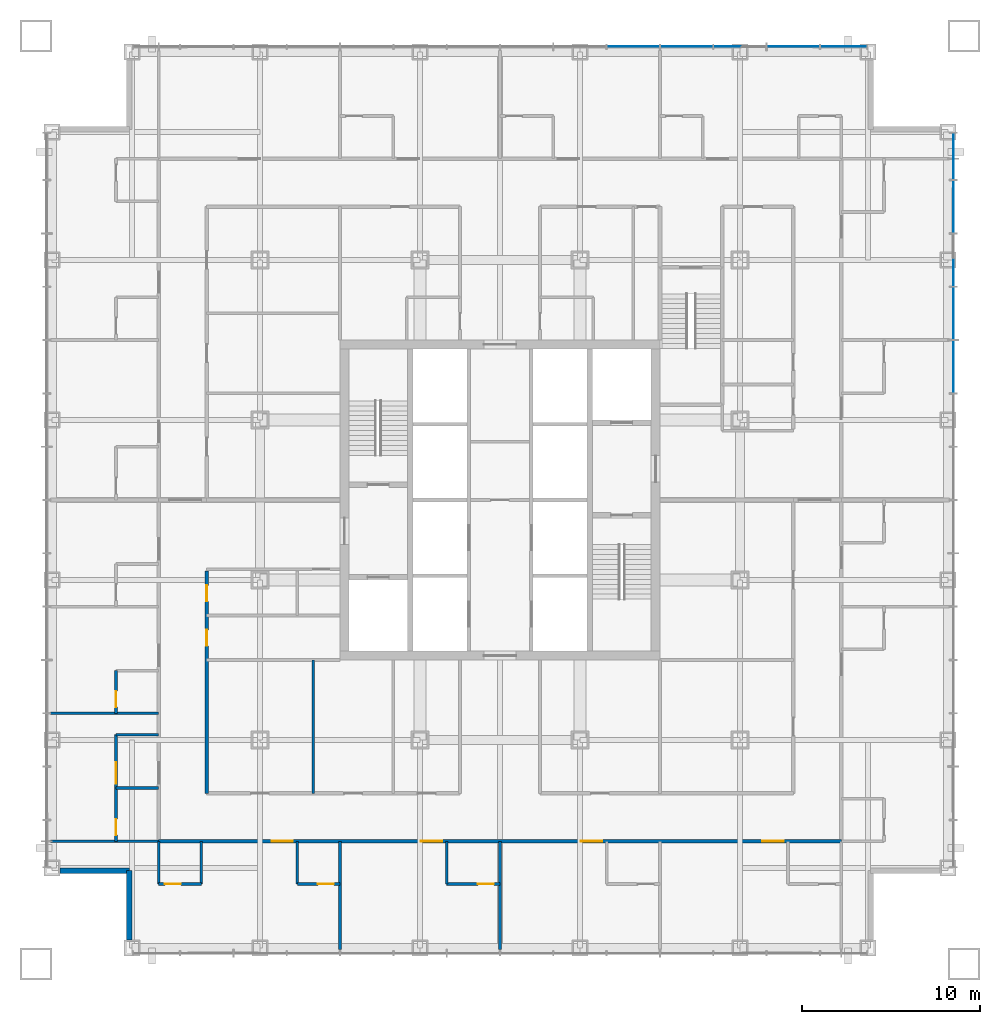
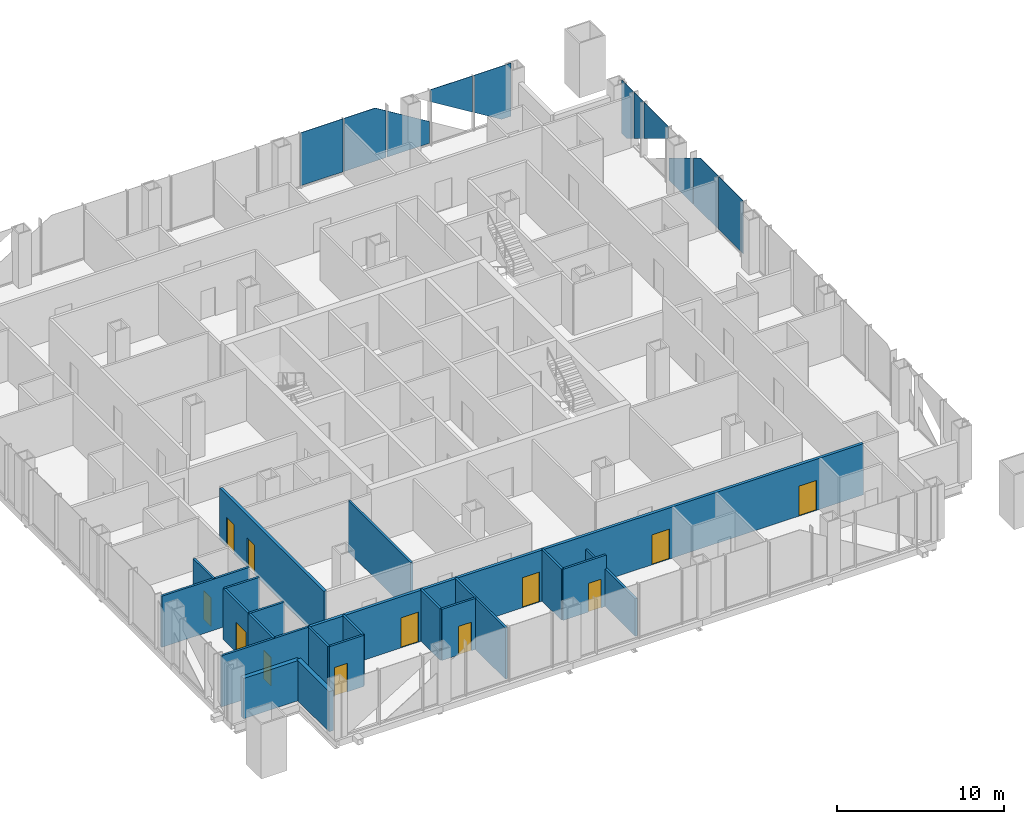
# One storey, part 7 of 13: 21 walls, 12 doors, 11 plates, 12 openings, 2 elements without a shape of their own.
"""IFC4 building model written with IfcOpenShell, lengths in metres."""

from ifc_helpers import new_model, si_unit, direction, frame, frame_2d, origin, origin_2d, place, context, subcontext, project, spatial, polyline, rectangle, outline, extrude, material, layer, layer_set, type_object, element, fill, aggregate, save


model = new_model("IFC4")

# Units and contexts
model_context = context("Model", 3, precision=1e-05, world=origin(), true_north=direction((0.0, 1.0)))
body_context = subcontext(model_context, "Body", "Model", "MODEL_VIEW")
ifc_project = project(units=[si_unit("LENGTHUNIT", "METRE"), si_unit("AREAUNIT", "SQUARE_METRE"), si_unit("VOLUMEUNIT", "CUBIC_METRE"), si_unit("PLANEANGLEUNIT", "RADIAN"), si_unit("MASSUNIT", "GRAM", prefix="KILO")], contexts=[model_context])

# Site, building, storey
site_placement = place(None, origin())
site = spatial("IfcSite", under=ifc_project, at=site_placement, CompositionType="ELEMENT")
building_placement = place(site_placement, origin())
building = spatial("IfcBuilding", under=site, at=building_placement, Name="Malebo Sky Hospital", CompositionType="ELEMENT")
storey_placement = place(building_placement, frame((0.0, 0.0, 67.0)))
storey = spatial("IfcBuildingStorey", under=building, at=storey_placement, Name="L15", CompositionType="ELEMENT", Elevation=67.0)

# Curtain wall, plates
ifc_material_1 = material(Name="Anodised aluminium, natural silver", Category="aluminium")
ifc_layer_1 = layer(ifc_material_1, 0.25)
ifc_layer_set_1 = layer_set([ifc_layer_1], Name="WARD CURTAIN WALL NORTH AND SOUTH")
curtain_wall_type_1 = type_object("IfcCurtainWallType", Name="WARD CURTAIN WALL NORTH AND SOUTH", PredefinedType="NOTDEFINED", material=ifc_layer_set_1)
curtain_wall_1_placement = place(storey_placement, origin())
curtain_wall_1 = element("IfcCurtainWall", 1, at=curtain_wall_1_placement, inside=storey, type_object=curtain_wall_type_1, Name="NS curtain wall N", PredefinedType="NOTDEFINED")
ifc_material_2 = material(Name="Clear low-iron double glazing", Category="glass")
ifc_layer_2 = layer(ifc_material_2, 0.031982421875)
ifc_layer_set_2 = layer_set([ifc_layer_2], Name="VISION PANEL CLEAR 32")
plate_type = type_object("IfcPlateType", Name="VISION PANEL CLEAR 32", PredefinedType="CURTAIN_PANEL", material=ifc_layer_set_2)
plate_1_placement = place(storey_placement, frame((67.5, 87.5, 0.10009765625), z_axis=(0.0, 0.0, 1.0), x_axis=(1.0, 0.0, 0.0)))
plate_1 = element("IfcPlate", 2, at=plate_1_placement, type_object=plate_type, Name="Panel 11", PredefinedType="CURTAIN_PANEL", context=body_context, shape_type="SweptSolid", body=[
    extrude(rectangle(XDim=2.925048828125, YDim=0.031982421875, at=origin_2d()), origin(), (0.0, 0.0, 1.0), 3.889892578125),
])
plate_2_placement = place(storey_placement, frame((70.5, 87.5, 0.10009765625), z_axis=(0.0, 0.0, 1.0), x_axis=(1.0, 0.0, 0.0)))
plate_2 = element("IfcPlate", 3, at=plate_2_placement, type_object=plate_type, Name="Panel 12", PredefinedType="CURTAIN_PANEL", context=body_context, shape_type="SweptSolid", body=[
    extrude(outline(polyline([(-1.46240234375, 0.0), (1.46240234375, 0.0), (1.46240234375, 3.43310546875), (0.71728515625, 3.889892578125), (-1.46240234375, 3.889892578125), (-1.46240234375, 0.0)])), frame((0.0, 0.01611328125, 0.0), z_axis=(0.0, -1.0, 0.0), x_axis=(1.0, 0.0, 0.0)), (0.0, 0.0, 1.0), 0.031982421875),
])
plate_3_placement = place(storey_placement, frame((73.5, 87.5, 0.099853515625), z_axis=(0.0, 0.0, 1.0), x_axis=(1.0, 0.0, 0.0)))
plate_3 = element("IfcPlate", 4, at=plate_3_placement, type_object=plate_type, Name="Panel 13", PredefinedType="CURTAIN_PANEL", context=body_context, shape_type="SweptSolid", body=[
    extrude(outline(polyline([(-1.46240234375, 0.0), (1.46240234375, 0.0), (1.46240234375, 1.593994140625), (-1.46240234375, 3.38720703125), (-1.46240234375, 0.0)])), frame((0.0, 0.01611328125, 0.0), z_axis=(0.0, -1.0, 0.0), x_axis=(1.0, 0.0, 0.0)), (0.0, 0.0, 1.0), 0.031982421875),
])
plate_4_placement = place(storey_placement, frame((76.5, 87.5, 1.322265625), z_axis=(0.0, 0.0, 1.0), x_axis=(1.0, 0.0, 0.0)))
plate_4 = element("IfcPlate", 5, at=plate_4_placement, type_object=plate_type, Name="Panel 14", PredefinedType="CURTAIN_PANEL", context=body_context, shape_type="SweptSolid", body=[
    extrude(outline(polyline([(1.46240234375, 0.0), (1.46240234375, 2.667724609375), (-1.46240234375, 2.667724609375), (-1.46240234375, 1.793212890625), (1.46240234375, 0.0)])), frame((0.0, 0.01611328125, 0.0), z_axis=(0.0, -1.0, 0.0), x_axis=(1.0, 0.0, 0.0)), (0.0, 0.0, 1.0), 0.031982421875),
])
plate_5_placement = place(storey_placement, frame((79.331298828125, 87.5, 0.10009765625), z_axis=(0.0, 0.0, 1.0), x_axis=(1.0, 0.0, 0.0)))
plate_5 = element("IfcPlate", 6, at=plate_5_placement, type_object=plate_type, Name="Panel 15", PredefinedType="CURTAIN_PANEL", context=body_context, shape_type="SweptSolid", body=[
    extrude(outline(polyline([(0.625244140625, 0.0), (1.293701171875, 0.0), (1.293701171875, 3.889892578125), (-1.293701171875, 3.889892578125), (-1.293701171875, 1.17626953125), (0.625244140625, 0.0)])), frame((0.0, 0.01611328125, 0.0), z_axis=(0.0, -1.0, 0.0), x_axis=(1.0, 0.0, 0.0)), (0.0, 0.0, 1.0), 0.031982421875),
])
aggregate(curtain_wall_1, [plate_1, plate_2, plate_3, plate_4, plate_5])

ifc_layer_3 = layer(ifc_material_1, 0.25)
ifc_layer_set_3 = layer_set([ifc_layer_3], Name="WARD CURTAIN WALL EAST AND WEST")
curtain_wall_type_2 = type_object("IfcCurtainWallType", Name="WARD CURTAIN WALL EAST AND WEST", PredefinedType="NOTDEFINED", material=ifc_layer_set_3)
curtain_wall_2_placement = place(storey_placement, origin())
curtain_wall_2 = element("IfcCurtainWall", 7, at=curtain_wall_2_placement, inside=storey, type_object=curtain_wall_type_2, Name="EW curtain wall E", PredefinedType="NOTDEFINED")
plate_6_placement = place(storey_placement, frame((85.5, 81.93115234375, 0.10009765625), z_axis=(0.0, 0.0, 1.0), x_axis=(0.0, -1.0, 0.0)))
plate_6 = element("IfcPlate", 8, at=plate_6_placement, type_object=plate_type, Name="Panel 1", PredefinedType="CURTAIN_PANEL", context=body_context, shape_type="SweptSolid", body=[
    extrude(outline(polyline([(-0.693603515625, 0.0), (-0.025146484375, 0.0), (0.693603515625, 0.440673828125), (0.693603515625, 3.889892578125), (-0.693603515625, 3.889892578125), (-0.693603515625, 0.0)])), frame((0.0, 0.01611328125, 0.0), z_axis=(0.0, -1.0, 0.0), x_axis=(1.0, 0.0, 0.0)), (0.0, 0.0, 1.0), 0.031982421875),
])
plate_7_placement = place(storey_placement, frame((85.5, 80.60009765625, 0.586669921875), z_axis=(0.0, 0.0, 1.0), x_axis=(0.0, -1.0, 0.0)))
plate_7 = element("IfcPlate", 9, at=plate_7_placement, type_object=plate_type, Name="Panel 2", PredefinedType="CURTAIN_PANEL", context=body_context, shape_type="SweptSolid", body=[
    extrude(outline(polyline([(-0.5625, 0.0), (0.5625, 0.689697265625), (0.5625, 3.4033203125), (-0.5625, 3.4033203125), (-0.5625, 0.0)])), frame((0.0, 0.01611328125, 0.0), z_axis=(0.0, -1.0, 0.0), x_axis=(1.0, 0.0, 0.0)), (0.0, 0.0, 1.0), 0.031982421875),
])
plate_8_placement = place(storey_placement, frame((85.5, 78.5, 1.322265625), z_axis=(0.0, 0.0, 1.0), x_axis=(0.0, -1.0, 0.0)))
plate_8 = element("IfcPlate", 10, at=plate_8_placement, type_object=plate_type, Name="Panel 3", PredefinedType="CURTAIN_PANEL", context=body_context, shape_type="SweptSolid", body=[
    extrude(outline(polyline([(-1.46240234375, 0.0), (1.46240234375, 1.793212890625), (1.46240234375, 2.667724609375), (-1.46240234375, 2.667724609375), (-1.46240234375, 0.0)])), frame((0.0, 0.01611328125, 0.0), z_axis=(0.0, -1.0, 0.0), x_axis=(1.0, 0.0, 0.0)), (0.0, 0.0, 1.0), 0.031982421875),
])
plate_9_placement = place(storey_placement, frame((85.5, 75.5, 0.099853515625), z_axis=(0.0, 0.0, 1.0), x_axis=(0.0, -1.0, 0.0)))
plate_9 = element("IfcPlate", 11, at=plate_9_placement, type_object=plate_type, Name="Panel 4", PredefinedType="CURTAIN_PANEL", context=body_context, shape_type="SweptSolid", body=[
    extrude(outline(polyline([(-1.46240234375, 0.0), (1.46240234375, 0.0), (1.46240234375, 3.38720703125), (-1.46240234375, 1.593994140625), (-1.46240234375, 0.0)])), frame((0.0, 0.01611328125, 0.0), z_axis=(0.0, -1.0, 0.0), x_axis=(1.0, 0.0, 0.0)), (0.0, 0.0, 1.0), 0.031982421875),
])
plate_10_placement = place(storey_placement, frame((85.5, 72.5, 0.10009765625), z_axis=(0.0, 0.0, 1.0), x_axis=(0.0, -1.0, 0.0)))
plate_10 = element("IfcPlate", 12, at=plate_10_placement, type_object=plate_type, Name="Panel 5", PredefinedType="CURTAIN_PANEL", context=body_context, shape_type="SweptSolid", body=[
    extrude(outline(polyline([(-1.46240234375, 0.0), (1.46240234375, 0.0), (1.46240234375, 3.889892578125), (-0.71728515625, 3.889892578125), (-1.46240234375, 3.43310546875), (-1.46240234375, 0.0)])), frame((0.0, 0.01611328125, 0.0), z_axis=(0.0, -1.0, 0.0), x_axis=(1.0, 0.0, 0.0)), (0.0, 0.0, 1.0), 0.031982421875),
])
plate_11_placement = place(storey_placement, frame((85.5, 69.5, 0.10009765625), z_axis=(0.0, 0.0, 1.0), x_axis=(0.0, -1.0, 0.0)))
plate_11 = element("IfcPlate", 13, at=plate_11_placement, type_object=plate_type, Name="Panel 6", PredefinedType="CURTAIN_PANEL", context=body_context, shape_type="SweptSolid", body=[
    extrude(rectangle(XDim=2.925048828125, YDim=0.031982421875, at=origin_2d()), origin(), (0.0, 0.0, 1.0), 3.889892578125),
])
aggregate(curtain_wall_2, [plate_6, plate_7, plate_8, plate_9, plate_10, plate_11])

# Wall, openings, doors
ifc_material_3 = material(Name="Gypsum board on steel studs", Category="steel")
ifc_layer_4 = layer(ifc_material_3, 0.199951171875)
ifc_layer_set_4 = layer_set([ifc_layer_4], Name="CORRIDOR WALL 200")
wall_type_1 = type_object("IfcWallType", Name="CORRIDOR WALL 200", PredefinedType="PARTITIONING", material=ifc_layer_set_4)
wall_1_placement = place(storey_placement, frame((43.5, 45.5, 0.0), z_axis=(0.0, 0.0, 1.0), x_axis=(0.0, 1.0, 0.0)))
wall_1 = element("IfcWall", 14, at=wall_1_placement, inside=storey, type_object=wall_type_1, Name="Corridor Wall 200 WCI1", PredefinedType="PARTITIONING", context=body_context, shape_type="SweptSolid", body=[
    extrude(rectangle(XDim=12.5, YDim=0.199951171875, at=frame_2d((6.25, 0.0))), origin(), (0.0, 0.0, 1.0), 3.75),
])
opening_1_placement = place(wall_1_placement, frame((8.300048828125, 0.0, 0.0)))
opening_1 = element("IfcOpeningElement", 15, at=opening_1_placement, cuts=wall_1, Name="Opening D04", PredefinedType="OPENING", context=body_context, shape_type="SweptSolid", body=[
    extrude(rectangle(XDim=0.89990234375, YDim=2.10009765625, at=frame_2d((0.449951171875, 1.050048828125))), frame((0.0, 0.10986328125, 0.0), z_axis=(0.0, -1.0, 0.0), x_axis=(1.0, 0.0, 0.0)), (0.0, 0.0, 1.0), 0.219970703125),
])
opening_2_placement = place(wall_1_placement, frame((10.800048828125, 0.0, 0.0)))
opening_2 = element("IfcOpeningElement", 16, at=opening_2_placement, cuts=wall_1, Name="Opening D04", PredefinedType="OPENING", context=body_context, shape_type="SweptSolid", body=[
    extrude(rectangle(XDim=0.89990234375, YDim=2.10009765625, at=frame_2d((0.449951171875, 1.050048828125))), frame((0.0, 0.10986328125, 0.0), z_axis=(0.0, -1.0, 0.0), x_axis=(1.0, 0.0, 0.0)), (0.0, 0.0, 1.0), 0.219970703125),
])
ifc_material_4 = material(Name="Hardwood-faced door leaf in steel frame", Category="steel")
door_type_1 = type_object("IfcDoorType", Name="ROOM DOOR 900", OperationType="SINGLE_SWING_LEFT", PredefinedType="DOOR", material=ifc_material_4)
door_1_placement = place(opening_1_placement, origin())
door_1 = element("IfcDoor", 17, at=door_1_placement, inside=storey, type_object=door_type_1, Name="Ward office door", OperationType="SINGLE_SWING_LEFT", OverallHeight=2.10009765625, OverallWidth=0.89990234375, PredefinedType="DOOR", context=body_context, shape_type="SweptSolid", body=[
    extrude(rectangle(XDim=0.89990234375, YDim=2.10009765625, at=frame_2d((0.449951171875, 1.050048828125))), frame((0.0, 0.02490234375, 0.0), z_axis=(0.0, -1.0, 0.0), x_axis=(1.0, 0.0, 0.0)), (0.0, 0.0, 1.0), 0.050048828125),
])
fill(opening_1, door_1)
door_2_placement = place(opening_2_placement, origin())
door_2 = element("IfcDoor", 18, at=door_2_placement, inside=storey, type_object=door_type_1, Name="Linen store door", OperationType="SINGLE_SWING_LEFT", OverallHeight=2.10009765625, OverallWidth=0.89990234375, PredefinedType="DOOR", context=body_context, shape_type="SweptSolid", body=[
    extrude(rectangle(XDim=0.89990234375, YDim=2.10009765625, at=frame_2d((0.449951171875, 1.050048828125))), frame((0.0, 0.02490234375, 0.0), z_axis=(0.0, -1.0, 0.0), x_axis=(1.0, 0.0, 0.0)), (0.0, 0.0, 1.0), 0.050048828125),
])
fill(opening_2, door_2)

wall_2_placement = place(storey_placement, frame((79.199951171875, 42.800048828125, 0.0), z_axis=(0.0, 0.0, 1.0), x_axis=(-1.0, 0.0, 0.0)))
wall_2 = element("IfcWall", 19, at=wall_2_placement, inside=storey, type_object=wall_type_1, Name="Corridor Wall 200 SCO", PredefinedType="PARTITIONING", context=body_context, shape_type="SweptSolid", body=[
    extrude(rectangle(XDim=38.39990234375, YDim=0.199951171875, at=frame_2d((19.199951171875, 0.0))), origin(), (0.0, 0.0, 1.0), 3.75),
])
opening_3_placement = place(wall_2_placement, frame((3.25, 0.0, 0.0)))
opening_3 = element("IfcOpeningElement", 20, at=opening_3_placement, cuts=wall_2, Name="Opening D01", PredefinedType="OPENING", context=body_context, shape_type="SweptSolid", body=[
    extrude(rectangle(XDim=1.199951171875, YDim=2.199951171875, at=frame_2d((0.60009765625, 1.10009765625))), frame((0.0, 0.10986328125, 0.0), z_axis=(0.0, -1.0, 0.0), x_axis=(1.0, 0.0, 0.0)), (0.0, 0.0, 1.0), 0.219970703125),
])
opening_4_placement = place(wall_2_placement, frame((13.449951171875, 0.0, 0.0)))
opening_4 = element("IfcOpeningElement", 21, at=opening_4_placement, cuts=wall_2, Name="Opening D01", PredefinedType="OPENING", context=body_context, shape_type="SweptSolid", body=[
    extrude(rectangle(XDim=1.199951171875, YDim=2.199951171875, at=frame_2d((0.60009765625, 1.10009765625))), frame((0.0, 0.10986328125, 0.0), z_axis=(0.0, -1.0, 0.0), x_axis=(1.0, 0.0, 0.0)), (0.0, 0.0, 1.0), 0.219970703125),
])
opening_5_placement = place(wall_2_placement, frame((22.449951171875, 0.0, 0.0)))
opening_5 = element("IfcOpeningElement", 22, at=opening_5_placement, cuts=wall_2, Name="Opening D01", PredefinedType="OPENING", context=body_context, shape_type="SweptSolid", body=[
    extrude(rectangle(XDim=1.199951171875, YDim=2.199951171875, at=frame_2d((0.60009765625, 1.10009765625))), frame((0.0, 0.10986328125, 0.0), z_axis=(0.0, -1.0, 0.0), x_axis=(1.0, 0.0, 0.0)), (0.0, 0.0, 1.0), 0.219970703125),
])
opening_6_placement = place(wall_2_placement, frame((30.85009765625, 0.0, 0.0)))
opening_6 = element("IfcOpeningElement", 23, at=opening_6_placement, cuts=wall_2, Name="Opening D01", PredefinedType="OPENING", context=body_context, shape_type="SweptSolid", body=[
    extrude(rectangle(XDim=1.199951171875, YDim=2.199951171875, at=frame_2d((0.60009765625, 1.10009765625))), frame((0.0, 0.10986328125, 0.0), z_axis=(0.0, -1.0, 0.0), x_axis=(1.0, 0.0, 0.0)), (0.0, 0.0, 1.0), 0.219970703125),
])
door_type_2 = type_object("IfcDoorType", Name="BED DOOR 1200", OperationType="SINGLE_SWING_LEFT", PredefinedType="DOOR", material=ifc_material_4)
door_3_placement = place(opening_3_placement, origin())
door_3 = element("IfcDoor", 24, at=door_3_placement, inside=storey, type_object=door_type_2, Name="Two-bed room door", OperationType="SINGLE_SWING_LEFT", OverallHeight=2.199951171875, OverallWidth=1.199951171875, PredefinedType="DOOR", context=body_context, shape_type="SweptSolid", body=[
    extrude(rectangle(XDim=1.199951171875, YDim=2.199951171875, at=frame_2d((0.60009765625, 1.10009765625))), frame((0.0, 0.02490234375, 0.0), z_axis=(0.0, -1.0, 0.0), x_axis=(1.0, 0.0, 0.0)), (0.0, 0.0, 1.0), 0.050048828125),
])
fill(opening_3, door_3)
door_4_placement = place(opening_4_placement, origin())
door_4 = element("IfcDoor", 25, at=door_4_placement, inside=storey, type_object=door_type_2, Name="Two-bed room door", OperationType="SINGLE_SWING_LEFT", OverallHeight=2.199951171875, OverallWidth=1.199951171875, PredefinedType="DOOR", context=body_context, shape_type="SweptSolid", body=[
    extrude(rectangle(XDim=1.199951171875, YDim=2.199951171875, at=frame_2d((0.60009765625, 1.10009765625))), frame((0.0, 0.02490234375, 0.0), z_axis=(0.0, -1.0, 0.0), x_axis=(1.0, 0.0, 0.0)), (0.0, 0.0, 1.0), 0.050048828125),
])
fill(opening_4, door_4)
door_5_placement = place(opening_5_placement, origin())
door_5 = element("IfcDoor", 26, at=door_5_placement, inside=storey, type_object=door_type_2, Name="Two-bed room door", OperationType="SINGLE_SWING_LEFT", OverallHeight=2.199951171875, OverallWidth=1.199951171875, PredefinedType="DOOR", context=body_context, shape_type="SweptSolid", body=[
    extrude(rectangle(XDim=1.199951171875, YDim=2.199951171875, at=frame_2d((0.60009765625, 1.10009765625))), frame((0.0, 0.02490234375, 0.0), z_axis=(0.0, -1.0, 0.0), x_axis=(1.0, 0.0, 0.0)), (0.0, 0.0, 1.0), 0.050048828125),
])
fill(opening_5, door_5)
door_6_placement = place(opening_6_placement, origin())
door_6 = element("IfcDoor", 27, at=door_6_placement, inside=storey, type_object=door_type_2, Name="Four-bed bay door", OperationType="SINGLE_SWING_LEFT", OverallHeight=2.199951171875, OverallWidth=1.199951171875, PredefinedType="DOOR", context=body_context, shape_type="SweptSolid", body=[
    extrude(rectangle(XDim=1.199951171875, YDim=2.199951171875, at=frame_2d((0.60009765625, 1.10009765625))), frame((0.0, 0.02490234375, 0.0), z_axis=(0.0, -1.0, 0.0), x_axis=(1.0, 0.0, 0.0)), (0.0, 0.0, 1.0), 0.050048828125),
])
fill(opening_6, door_6)

# Walls
ifc_material_5 = material(Name="Anodised aluminium rainscreen on steel framing", Category="steel")
ifc_layer_5 = layer(ifc_material_5, 0.300048828125)
ifc_layer_set_5 = layer_set([ifc_layer_5], Name="NOTCH RAINSCREEN WALL 300")
wall_type_2 = type_object("IfcWallType", Name="NOTCH RAINSCREEN WALL 300", PredefinedType="ELEMENTEDWALL", material=ifc_layer_set_5)
for number, where, z_axis, x_axis, name in (
    (28, (39.14990234375, 37.25, 0.0), (0.0, 0.0, 1.0), (0.0, 1.0, 0.0), "Notch rainscreen wall S1 L15"),
    (29, (39.14990234375, 41.14990234375, 0.0), (0.0, 0.0, 1.0), (-1.0, 0.0, 0.0), "Notch rainscreen wall S2 L15"),
):
    element("IfcWall", number, at=place(storey_placement, frame(where, z_axis=z_axis, x_axis=x_axis)), inside=storey, type_object=wall_type_2, Name=name, PredefinedType="ELEMENTEDWALL", context=body_context, shape_type="SweptSolid", body=[
        extrude(rectangle(XDim=3.89990234375, YDim=0.300048828125, at=frame_2d((1.949951171875, 0.0))), origin(), (0.0, 0.0, 1.0), 2.949951171875),
    ])
ifc_layer_6 = layer(ifc_material_3, 0.14990234375)
ifc_layer_set_6 = layer_set([ifc_layer_6], Name="PARTITION 150")
wall_type_3 = type_object("IfcWallType", Name="PARTITION 150", PredefinedType="PARTITIONING", material=ifc_layer_set_6)
for number, where, z_axis, x_axis, name in (
    (30, (40.800048828125, 50.0, 0.0), (0.0, 0.0, 1.0), (-1.0, 0.0, 0.0), "Partition 150 WP-12.0"),
    (31, (40.800048828125, 42.800048828125, 0.0), (0.0, 0.0, 1.0), (-1.0, 0.0, 0.0), "Partition 150 WP0"),
):
    element("IfcWall", number, at=place(storey_placement, frame(where, z_axis=z_axis, x_axis=x_axis)), inside=storey, type_object=wall_type_3, Name=name, PredefinedType="PARTITIONING", context=body_context, shape_type="SweptSolid", body=[
        extrude(rectangle(XDim=6.074951171875, YDim=0.14990234375, at=frame_2d((3.03759765625, 0.0))), origin(), (0.0, 0.0, 1.0), 3.75),
    ])

# Wall, opening, door
wall_3_placement = place(storey_placement, frame((38.39990234375, 42.800048828125, 0.0), z_axis=(0.0, 0.0, 1.0), x_axis=(0.0, 1.0, 0.0)))
wall_3 = element("IfcWall", 32, at=wall_3_placement, inside=storey, type_object=wall_type_3, Name="Partition 150 WE0F", PredefinedType="PARTITIONING", context=body_context, shape_type="SweptSolid", body=[
    extrude(rectangle(XDim=3.0, YDim=0.14990234375, at=frame_2d((1.5, 0.0))), origin(), (0.0, 0.0, 1.0), 3.75),
])
opening_7_placement = place(wall_3_placement, frame((0.35009765625, 0.0, 0.0)))
opening_7 = element("IfcOpeningElement", 33, at=opening_7_placement, cuts=wall_3, Name="Opening D02", PredefinedType="OPENING", context=body_context, shape_type="SweptSolid", body=[
    extrude(rectangle(XDim=0.89990234375, YDim=2.10009765625, at=frame_2d((0.449951171875, 1.050048828125))), frame((0.0, 0.0849609375, 0.0), z_axis=(0.0, -1.0, 0.0), x_axis=(1.0, 0.0, 0.0)), (0.0, 0.0, 1.0), 0.169921875),
])
door_type_3 = type_object("IfcDoorType", Name="EN-SUITE DOOR 900", OperationType="SINGLE_SWING_LEFT", PredefinedType="DOOR", material=ifc_material_4)
door_7_placement = place(opening_7_placement, origin())
door_7 = element("IfcDoor", 34, at=door_7_placement, inside=storey, type_object=door_type_3, Name="En-suite door", OperationType="SINGLE_SWING_LEFT", OverallHeight=2.10009765625, OverallWidth=0.89990234375, PredefinedType="DOOR", context=body_context, shape_type="SweptSolid", body=[
    extrude(rectangle(XDim=0.89990234375, YDim=2.10009765625, at=frame_2d((0.449951171875, 1.050048828125))), frame((0.0, 0.02490234375, 0.0), z_axis=(0.0, -1.0, 0.0), x_axis=(1.0, 0.0, 0.0)), (0.0, 0.0, 1.0), 0.050048828125),
])
fill(opening_7, door_7)

# Wall
wall_4_placement = place(storey_placement, frame((40.800048828125, 45.800048828125, 0.0), z_axis=(0.0, 0.0, 1.0), x_axis=(-1.0, 0.0, 0.0)))
element("IfcWall", 35, at=wall_4_placement, inside=storey, type_object=wall_type_3, Name="Partition 150 WE0S", PredefinedType="PARTITIONING", context=body_context, shape_type="SweptSolid", body=[
    extrude(rectangle(XDim=2.400146484375, YDim=0.14990234375, at=frame_2d((1.2001953125, 0.0))), origin(), (0.0, 0.0, 1.0), 3.75),
])

# Wall, opening, door
wall_5_placement = place(storey_placement, frame((38.39990234375, 50.0, 0.0), z_axis=(0.0, 0.0, 1.0), x_axis=(0.0, 1.0, 0.0)))
wall_5 = element("IfcWall", 36, at=wall_5_placement, inside=storey, type_object=wall_type_3, Name="Partition 150 WE1F", PredefinedType="PARTITIONING", context=body_context, shape_type="SweptSolid", body=[
    extrude(rectangle(XDim=2.39990234375, YDim=0.14990234375, at=frame_2d((1.199951171875, 0.0))), origin(), (0.0, 0.0, 1.0), 3.75),
])
opening_8_placement = place(wall_5_placement, frame((0.35009765625, 0.0, 0.0)))
opening_8 = element("IfcOpeningElement", 37, at=opening_8_placement, cuts=wall_5, Name="Opening D02", PredefinedType="OPENING", context=body_context, shape_type="SweptSolid", body=[
    extrude(rectangle(XDim=0.89990234375, YDim=2.10009765625, at=frame_2d((0.449951171875, 1.050048828125))), frame((0.0, 0.0849609375, 0.0), z_axis=(0.0, -1.0, 0.0), x_axis=(1.0, 0.0, 0.0)), (0.0, 0.0, 1.0), 0.169921875),
])
door_8_placement = place(opening_8_placement, origin())
door_8 = element("IfcDoor", 38, at=door_8_placement, inside=storey, type_object=door_type_3, Name="En-suite door", OperationType="SINGLE_SWING_LEFT", OverallHeight=2.10009765625, OverallWidth=0.89990234375, PredefinedType="DOOR", context=body_context, shape_type="SweptSolid", body=[
    extrude(rectangle(XDim=0.89990234375, YDim=2.10009765625, at=frame_2d((0.449951171875, 1.050048828125))), frame((0.0, 0.02490234375, 0.0), z_axis=(0.0, -1.0, 0.0), x_axis=(1.0, 0.0, 0.0)), (0.0, 0.0, 1.0), 0.050048828125),
])
fill(opening_8, door_8)

# Walls
wall_6_placement = place(storey_placement, frame((60.0, 42.800048828125, 0.0), z_axis=(0.0, 0.0, 1.0), x_axis=(0.0, -1.0, 0.0)))
element("IfcWall", 39, at=wall_6_placement, inside=storey, type_object=wall_type_3, Name="Partition 150 SP+0.0", PredefinedType="PARTITIONING", context=body_context, shape_type="SweptSolid", body=[
    extrude(rectangle(XDim=6.074951171875, YDim=0.14990234375, at=frame_2d((3.03759765625, 0.0))), origin(), (0.0, 0.0, 1.0), 2.75),
])
wall_7_placement = place(storey_placement, frame((51.0, 42.800048828125, 0.0), z_axis=(0.0, 0.0, 1.0), x_axis=(0.0, -1.0, 0.0)))
element("IfcWall", 40, at=wall_7_placement, inside=storey, type_object=wall_type_3, Name="Partition 150 SP+9.0", PredefinedType="PARTITIONING", context=body_context, shape_type="SweptSolid", body=[
    extrude(rectangle(XDim=6.074951171875, YDim=0.14990234375, at=frame_2d((3.03759765625, 0.0))), origin(), (0.0, 0.0, 1.0), 3.75),
])

# Wall, opening, door
wall_8_placement = place(storey_placement, frame((60.0, 40.39990234375, 0.0), z_axis=(0.0, 0.0, 1.0), x_axis=(-1.0, 0.0, 0.0)))
wall_8 = element("IfcWall", 41, at=wall_8_placement, inside=storey, type_object=wall_type_3, Name="Partition 150 SE2F", PredefinedType="PARTITIONING", context=body_context, shape_type="SweptSolid", body=[
    extrude(rectangle(XDim=3.0, YDim=0.14990234375, at=frame_2d((1.5, 0.0))), origin(), (0.0, 0.0, 1.0), 3.75),
])
opening_9_placement = place(wall_8_placement, frame((0.35009765625, 0.0, 0.0)))
opening_9 = element("IfcOpeningElement", 42, at=opening_9_placement, cuts=wall_8, Name="Opening D02", PredefinedType="OPENING", context=body_context, shape_type="SweptSolid", body=[
    extrude(rectangle(XDim=0.89990234375, YDim=2.10009765625, at=frame_2d((0.449951171875, 1.050048828125))), frame((0.0, 0.0849609375, 0.0), z_axis=(0.0, -1.0, 0.0), x_axis=(1.0, 0.0, 0.0)), (0.0, 0.0, 1.0), 0.169921875),
])
door_9_placement = place(opening_9_placement, origin())
door_9 = element("IfcDoor", 43, at=door_9_placement, inside=storey, type_object=door_type_3, Name="En-suite door", OperationType="SINGLE_SWING_LEFT", OverallHeight=2.10009765625, OverallWidth=0.89990234375, PredefinedType="DOOR", context=body_context, shape_type="SweptSolid", body=[
    extrude(rectangle(XDim=0.89990234375, YDim=2.10009765625, at=frame_2d((0.449951171875, 1.050048828125))), frame((0.0, 0.02490234375, 0.0), z_axis=(0.0, -1.0, 0.0), x_axis=(1.0, 0.0, 0.0)), (0.0, 0.0, 1.0), 0.050048828125),
])
fill(opening_9, door_9)

# Wall
wall_9_placement = place(storey_placement, frame((57.0, 42.800048828125, 0.0), z_axis=(0.0, 0.0, 1.0), x_axis=(0.0, -1.0, 0.0)))
element("IfcWall", 44, at=wall_9_placement, inside=storey, type_object=wall_type_3, Name="Partition 150 SE2S", PredefinedType="PARTITIONING", context=body_context, shape_type="SweptSolid", body=[
    extrude(rectangle(XDim=2.400146484375, YDim=0.14990234375, at=frame_2d((1.2001953125, 0.0))), origin(), (0.0, 0.0, 1.0), 3.75),
])

# Wall, opening, door
wall_10_placement = place(storey_placement, frame((51.0, 40.39990234375, 0.0), z_axis=(0.0, 0.0, 1.0), x_axis=(-1.0, 0.0, 0.0)))
wall_10 = element("IfcWall", 45, at=wall_10_placement, inside=storey, type_object=wall_type_3, Name="Partition 150 SE3F", PredefinedType="PARTITIONING", context=body_context, shape_type="SweptSolid", body=[
    extrude(rectangle(XDim=2.39990234375, YDim=0.14990234375, at=frame_2d((1.199951171875, 0.0))), origin(), (0.0, 0.0, 1.0), 3.75),
])
opening_10_placement = place(wall_10_placement, frame((0.35009765625, 0.0, 0.0)))
opening_10 = element("IfcOpeningElement", 46, at=opening_10_placement, cuts=wall_10, Name="Opening D02", PredefinedType="OPENING", context=body_context, shape_type="SweptSolid", body=[
    extrude(rectangle(XDim=0.89990234375, YDim=2.10009765625, at=frame_2d((0.449951171875, 1.050048828125))), frame((0.0, 0.0849609375, 0.0), z_axis=(0.0, -1.0, 0.0), x_axis=(1.0, 0.0, 0.0)), (0.0, 0.0, 1.0), 0.169921875),
])
door_10_placement = place(opening_10_placement, origin())
door_10 = element("IfcDoor", 47, at=door_10_placement, inside=storey, type_object=door_type_3, Name="En-suite door", OperationType="SINGLE_SWING_LEFT", OverallHeight=2.10009765625, OverallWidth=0.89990234375, PredefinedType="DOOR", context=body_context, shape_type="SweptSolid", body=[
    extrude(rectangle(XDim=0.89990234375, YDim=2.10009765625, at=frame_2d((0.449951171875, 1.050048828125))), frame((0.0, 0.02490234375, 0.0), z_axis=(0.0, -1.0, 0.0), x_axis=(1.0, 0.0, 0.0)), (0.0, 0.0, 1.0), 0.050048828125),
])
fill(opening_10, door_10)

# Wall
wall_11_placement = place(storey_placement, frame((48.60009765625, 42.800048828125, 0.0), z_axis=(0.0, 0.0, 1.0), x_axis=(0.0, -1.0, 0.0)))
element("IfcWall", 48, at=wall_11_placement, inside=storey, type_object=wall_type_3, Name="Partition 150 SE3S", PredefinedType="PARTITIONING", context=body_context, shape_type="SweptSolid", body=[
    extrude(rectangle(XDim=2.400146484375, YDim=0.14990234375, at=frame_2d((1.2001953125, 0.0))), origin(), (0.0, 0.0, 1.0), 3.75),
])

# Wall, opening, door
wall_12_placement = place(storey_placement, frame((43.199951171875, 40.39990234375, 0.0), z_axis=(0.0, 0.0, 1.0), x_axis=(-1.0, 0.0, 0.0)))
wall_12 = element("IfcWall", 49, at=wall_12_placement, inside=storey, type_object=wall_type_3, Name="Partition 150 SG3F", PredefinedType="PARTITIONING", context=body_context, shape_type="SweptSolid", body=[
    extrude(rectangle(XDim=2.39990234375, YDim=0.14990234375, at=frame_2d((1.199951171875, 0.0))), origin(), (0.0, 0.0, 1.0), 3.75),
])
opening_11_placement = place(wall_12_placement, frame((1.14990234375, 0.0, 0.0)))
opening_11 = element("IfcOpeningElement", 50, at=opening_11_placement, cuts=wall_12, Name="Opening D02", PredefinedType="OPENING", context=body_context, shape_type="SweptSolid", body=[
    extrude(rectangle(XDim=0.89990234375, YDim=2.10009765625, at=frame_2d((0.449951171875, 1.050048828125))), frame((0.0, 0.0849609375, 0.0), z_axis=(0.0, -1.0, 0.0), x_axis=(1.0, 0.0, 0.0)), (0.0, 0.0, 1.0), 0.169921875),
])
door_11_placement = place(opening_11_placement, origin())
door_11 = element("IfcDoor", 51, at=door_11_placement, inside=storey, type_object=door_type_3, Name="En-suite door", OperationType="SINGLE_SWING_RIGHT", OverallHeight=2.10009765625, OverallWidth=0.89990234375, PredefinedType="DOOR", context=body_context, shape_type="SweptSolid", body=[
    extrude(rectangle(XDim=0.89990234375, YDim=2.10009765625, at=frame_2d((0.449951171875, 1.050048828125))), frame((0.0, 0.02490234375, 0.0), z_axis=(0.0, -1.0, 0.0), x_axis=(1.0, 0.0, 0.0)), (0.0, 0.0, 1.0), 0.050048828125),
])
fill(opening_11, door_11)

# Walls
for number, where, z_axis, x_axis, name in (
    (52, (43.199951171875, 42.800048828125, 0.0), (0.0, 0.0, 1.0), (0.0, -1.0, 0.0), "Partition 150 SG3S"),
    (53, (40.800048828125, 42.800048828125, 0.0), (0.0, 0.0, 1.0), (0.0, -1.0, 0.0), "Partition 150 SEZ"),
):
    element("IfcWall", number, at=place(storey_placement, frame(where, z_axis=z_axis, x_axis=x_axis)), inside=storey, type_object=wall_type_3, Name=name, PredefinedType="PARTITIONING", context=body_context, shape_type="SweptSolid", body=[
        extrude(rectangle(XDim=2.400146484375, YDim=0.14990234375, at=frame_2d((1.2001953125, 0.0))), origin(), (0.0, 0.0, 1.0), 3.75),
    ])
wall_13_placement = place(storey_placement, frame((49.5, 53.0, 0.0), z_axis=(0.0, 0.0, 1.0), x_axis=(0.0, -1.0, 0.0)))
element("IfcWall", 54, at=wall_13_placement, inside=storey, type_object=wall_type_3, Name="Partition 150 SSP+10.5", PredefinedType="PARTITIONING", context=body_context, shape_type="SweptSolid", body=[
    extrude(rectangle(XDim=7.5, YDim=0.14990234375, at=frame_2d((3.75, 0.0))), origin(), (0.0, 0.0, 1.0), 3.75),
])

# Wall, opening, door
ifc_material_6 = material(Name="Sealed gypsum board on steel studs, taped to the slab", Category="steel")
ifc_layer_7 = layer(ifc_material_6, 0.14990234375)
ifc_layer_set_7 = layer_set([ifc_layer_7], Name="SEALED ISOLATION PARTITION 150")
wall_type_4 = type_object("IfcWallType", Name="SEALED ISOLATION PARTITION 150", PredefinedType="PARTITIONING", material=ifc_layer_set_7)
wall_14_placement = place(storey_placement, frame((38.39990234375, 45.800048828125, 0.0), z_axis=(0.0, 0.0, 1.0), x_axis=(0.0, 1.0, 0.0)))
wall_14 = element("IfcWall", 55, at=wall_14_placement, inside=storey, type_object=wall_type_4, Name="Sealed Isolation Partition 150 WA0F", PredefinedType="PARTITIONING", context=body_context, shape_type="SweptSolid", body=[
    extrude(rectangle(XDim=3.0, YDim=0.14990234375, at=frame_2d((1.5, 0.0))), origin(), (0.0, 0.0, 1.0), 3.75),
])
opening_12_placement = place(wall_14_placement, frame((0.25, 0.0, 0.0)))
opening_12 = element("IfcOpeningElement", 56, at=opening_12_placement, cuts=wall_14, Name="Opening D19", PredefinedType="OPENING", context=body_context, shape_type="SweptSolid", body=[
    extrude(rectangle(XDim=1.199951171875, YDim=2.199951171875, at=frame_2d((0.60009765625, 1.10009765625))), frame((0.0, 0.0849609375, 0.0), z_axis=(0.0, -1.0, 0.0), x_axis=(1.0, 0.0, 0.0)), (0.0, 0.0, 1.0), 0.169921875),
])
ifc_material_7 = material(Name="Hardwood-faced door leaf with perimeter seals in steel frame", Category="steel")
door_type_4 = type_object("IfcDoorType", Name="SEALED ISOLATION ROOM DOOR 1200", OperationType="SINGLE_SWING_LEFT", PredefinedType="DOOR", material=ifc_material_7)
door_12_placement = place(opening_12_placement, origin())
door_12 = element("IfcDoor", 57, at=door_12_placement, inside=storey, type_object=door_type_4, Name="Isolation room door", OperationType="SINGLE_SWING_LEFT", OverallHeight=2.199951171875, OverallWidth=1.199951171875, PredefinedType="DOOR", context=body_context, shape_type="SweptSolid", body=[
    extrude(rectangle(XDim=1.199951171875, YDim=2.199951171875, at=frame_2d((0.60009765625, 1.10009765625))), frame((0.0, 0.02490234375, 0.0), z_axis=(0.0, -1.0, 0.0), x_axis=(1.0, 0.0, 0.0)), (0.0, 0.0, 1.0), 0.050048828125),
])
fill(opening_12, door_12)

# Wall
wall_15_placement = place(storey_placement, frame((40.800048828125, 48.800048828125, 0.0), z_axis=(0.0, 0.0, 1.0), x_axis=(-1.0, 0.0, 0.0)))
element("IfcWall", 58, at=wall_15_placement, inside=storey, type_object=wall_type_4, Name="Sealed Isolation Partition 150 WA0S", PredefinedType="PARTITIONING", context=body_context, shape_type="SweptSolid", body=[
    extrude(rectangle(XDim=2.400146484375, YDim=0.14990234375, at=frame_2d((1.2001953125, 0.0))), origin(), (0.0, 0.0, 1.0), 3.75),
])

save(model, "model.ifc")
